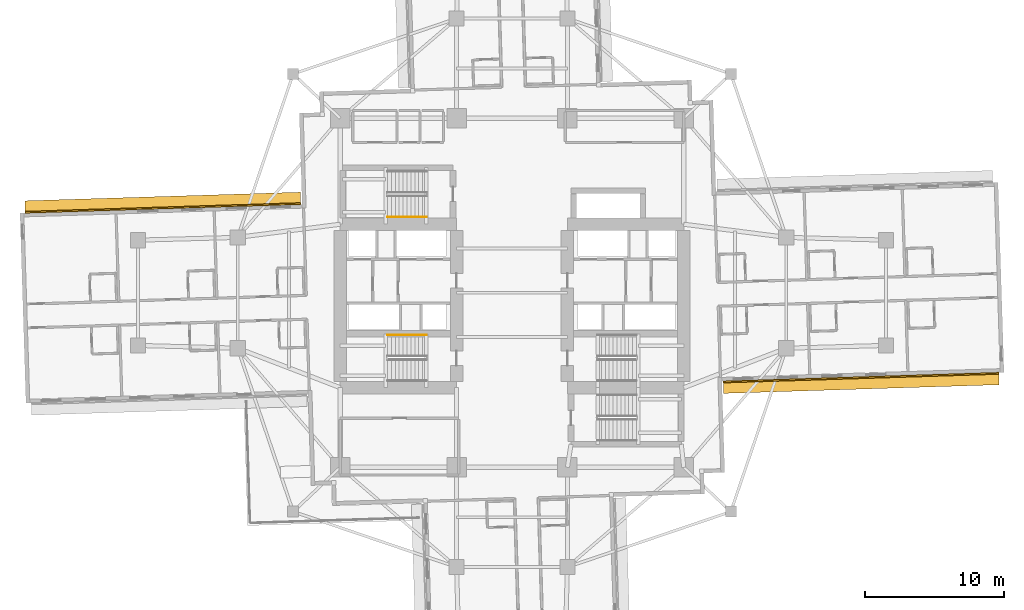
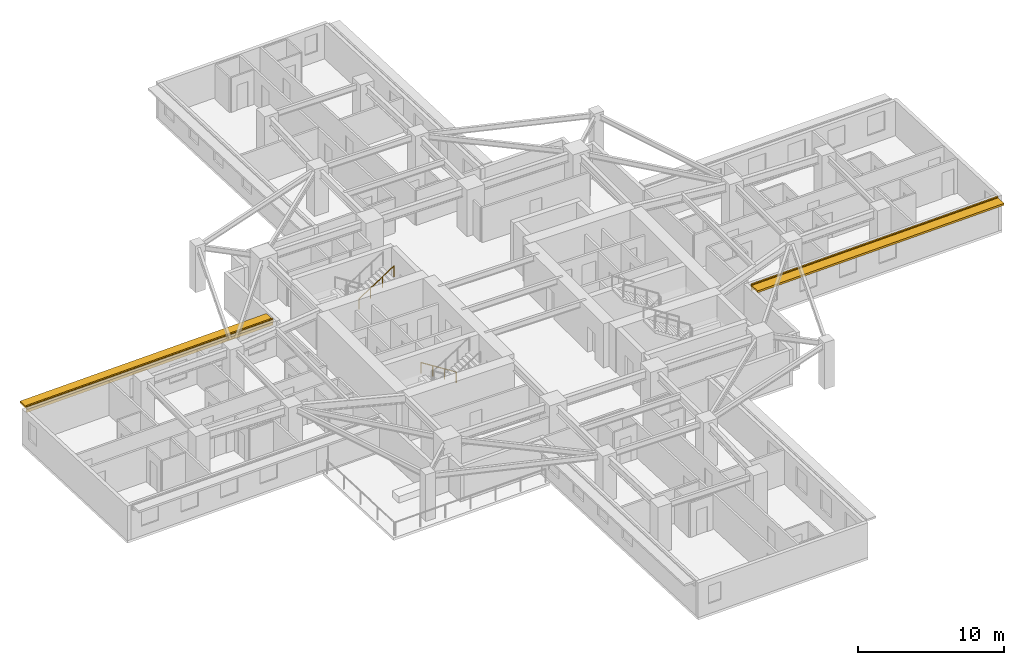
# One storey, part 12 of 14: 2 coverings, 2 railings, 2 shading devices.
"""IFC4 building model written with IfcOpenShell, lengths in metres."""

from ifc_helpers import new_model, si_unit, direction, frame, origin, origin_2d, place, context, subcontext, project, spatial, rectangle, circle, extrude, material, layer, layer_set, type_object, element, save


model = new_model("IFC4")

# Units and contexts
model_context = context("Model", 3, precision=1e-05, world=origin(), true_north=direction((0.0, 1.0)))
body_context = subcontext(model_context, "Body", "Model", "MODEL_VIEW")
ifc_project = project(units=[si_unit("LENGTHUNIT", "METRE"), si_unit("AREAUNIT", "SQUARE_METRE"), si_unit("VOLUMEUNIT", "CUBIC_METRE"), si_unit("PLANEANGLEUNIT", "RADIAN"), si_unit("MASSUNIT", "GRAM", prefix="KILO")], contexts=[model_context])

# Site, building, storey
site_placement = place(None, origin())
site = spatial("IfcSite", under=ifc_project, at=site_placement, CompositionType="ELEMENT")
building_placement = place(site_placement, origin())
building = spatial("IfcBuilding", under=site, at=building_placement, Name="Qingluan Cross Belvedere", CompositionType="ELEMENT")
storey_placement = place(building_placement, frame((0.0, 0.0, 56.10009765625)))
storey = spatial("IfcBuildingStorey", under=building, at=storey_placement, Name="L14", CompositionType="ELEMENT", Elevation=56.10009765625)

# Coverings
ifc_material_1 = material(Name="Precast concrete C45", Category="concrete")
ifc_layer_1 = layer(ifc_material_1, 0.1201171875, Name="ConcreteSpandrelCladding_120")
ifc_layer_set_1 = layer_set([ifc_layer_1], Name="Precast concrete C45")
covering_type = type_object("IfcCoveringType", Name="ConcreteSpandrelCladding_120", PredefinedType="CLADDING", material=ifc_layer_set_1)
for number, where, z_axis, x_axis, name in (
    (1, (25.194580078125, -6.12158203125, 2.449951171875), (0.0, 0.0, 1.0), (0.999506649124, 0.031407934627, 0.0), "Spandrel cladding L14-EA"),
    (2, (-25.194580078125, 6.12158203125, 2.449951171875), (0.0, 0.0, 1.0), (-0.999506649124, -0.031407934627, 0.0), "Spandrel cladding L14-WA"),
):
    element("IfcCovering", number, at=place(storey_placement, frame(where, z_axis=z_axis, x_axis=x_axis)), inside=storey, type_object=covering_type, Name=name, PredefinedType="CLADDING", context=body_context, shape_type="SweptSolid", body=[
        extrude(rectangle(XDim=19.89990234375, YDim=0.1201171875, at=origin_2d()), origin(), (0.0, 0.0, 1.0), 0.52001953125),
    ])

# Shading devices
ifc_material_2 = material(Name="Precast concrete C45", Category="concrete")
ifc_layer_2 = layer(ifc_material_2, 0.159912109375, Name="ConcreteSunshadeBand_900")
ifc_layer_set_2 = layer_set([ifc_layer_2], Name="Precast concrete C45")
shading_device_type = type_object("IfcShadingDeviceType", Name="ConcreteSunshadeBand_900", PredefinedType="USERDEFINED", material=ifc_layer_set_2)
for number, where, z_axis, x_axis, name in (
    (3, (25.206787109375, -6.50146484375, 2.72998046875), (0.0, 0.0, 1.0), (0.999506649124, 0.031407934627, 0.0), "Concrete SUNSHADE L14-EA"),
    (4, (-25.206787109375, 6.50146484375, 2.72998046875), (0.0, 0.0, 1.0), (-0.999506649124, -0.031407934627, 0.0), "Concrete SUNSHADE L14-WA"),
):
    element("IfcShadingDevice", number, at=place(storey_placement, frame(where, z_axis=z_axis, x_axis=x_axis)), inside=storey, type_object=shading_device_type, Name=name, ObjectType="SUNSHADE", PredefinedType="USERDEFINED", context=body_context, shape_type="SweptSolid", body=[
        extrude(rectangle(XDim=19.89990234375, YDim=0.89990234375, at=origin_2d()), origin(), (0.0, 0.0, 1.0), 0.159912109375),
    ])

# Railings
ifc_material_3 = material(Name="Brushed stainless steel tubular handrail", Category="steel")
railing_type = type_object("IfcRailingType", Name="StairPitchHandrail_900", PredefinedType="HANDRAIL", material=ifc_material_3)
railing_1_placement = place(storey_placement, frame((-6.179931640625, -3.050048828125, 0.17724609375)))
element("IfcRailing", 5, at=railing_1_placement, inside=storey, type_object=railing_type, Name="L14 ST1 stair handrail 1", PredefinedType="HANDRAIL", context=body_context, shape_type="SweptSolid", body=[
    extrude(circle(Radius=0.02392578125, at=origin_2d()), frame((0.0, 0.0, 0.8759765625), z_axis=(-0.844908973607, 0.0, 0.534910110503), x_axis=(0.0, -1.0, 0.0)), (0.0, 0.0, 1.0), 3.31396484375),
    extrude(circle(Radius=0.02099609375, at=origin_2d()), origin(), (0.0, 0.0, 1.0), 0.851806640625),
    extrude(circle(Radius=0.02099609375, at=origin_2d()), frame((-0.933349609375, 0.0, 0.5908203125)), (0.0, 0.0, 1.0), 0.851806640625),
    extrude(circle(Radius=0.02099609375, at=origin_2d()), frame((-1.86669921875, 0.0, 1.181884765625)), (0.0, 0.0, 1.0), 0.851806640625),
    extrude(circle(Radius=0.02099609375, at=origin_2d()), frame((-2.800048828125, 0.0, 1.772705078125)), (0.0, 0.0, 1.0), 0.851806640625),
])
railing_2_placement = place(storey_placement, frame((-8.97998046875, 5.469970703125, 2.127197265625)))
element("IfcRailing", 6, at=railing_2_placement, inside=storey, type_object=railing_type, Name="L14 ST3 stair handrail 2", PredefinedType="HANDRAIL", context=body_context, shape_type="SweptSolid", body=[
    extrude(circle(Radius=0.02392578125, at=origin_2d()), frame((0.0, 0.0, 0.8759765625), z_axis=(0.844908973607, 0.0, 0.534910110503), x_axis=(0.0, 1.0, 0.0)), (0.0, 0.0, 1.0), 3.31396484375),
    extrude(circle(Radius=0.02099609375, at=origin_2d()), origin(), (0.0, 0.0, 1.0), 0.851806640625),
    extrude(circle(Radius=0.02099609375, at=origin_2d()), frame((0.933349609375, 0.0, 0.5908203125)), (0.0, 0.0, 1.0), 0.851806640625),
    extrude(circle(Radius=0.02099609375, at=origin_2d()), frame((1.86669921875, 0.0, 1.181884765625)), (0.0, 0.0, 1.0), 0.851806640625),
    extrude(circle(Radius=0.02099609375, at=origin_2d()), frame((2.800048828125, 0.0, 1.772705078125)), (0.0, 0.0, 1.0), 0.851806640625),
])

save(model, "model.ifc")
